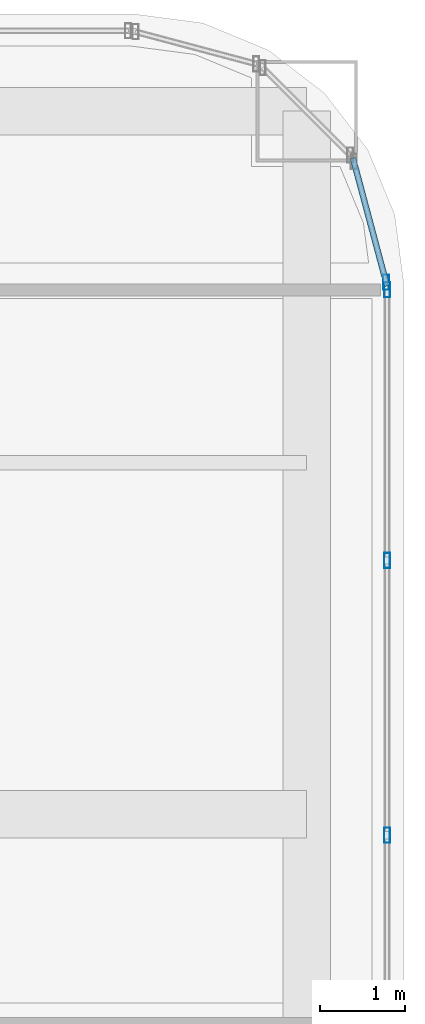
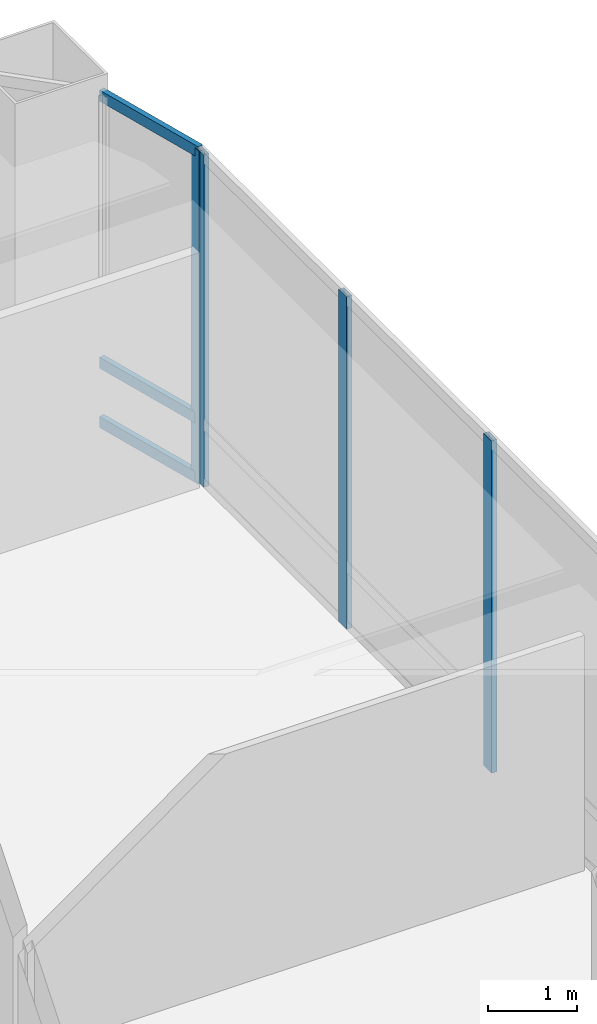
# One storey, part 31 of 44: 7 members, 2 elements without a shape of their own.
"""IFC4 building model written with IfcOpenShell, lengths in metres."""

from ifc_helpers import new_model, si_unit, direction, frame, origin, origin_2d, place, context, subcontext, project, spatial, hollow_rectangle, extrude, material, material_profile, profile_set, type_object, element, aggregate, save


model = new_model("IFC4")

# Units and contexts
model_context = context("Model", 3, precision=1e-05, world=origin(), true_north=direction((0.0, 1.0)))
body_context = subcontext(model_context, "Body", "Model", "MODEL_VIEW")
ifc_project = project(units=[si_unit("LENGTHUNIT", "METRE"), si_unit("AREAUNIT", "SQUARE_METRE"), si_unit("VOLUMEUNIT", "CUBIC_METRE"), si_unit("PLANEANGLEUNIT", "RADIAN"), si_unit("MASSUNIT", "GRAM", prefix="KILO")], contexts=[model_context])

# Site, building, storey
site_placement = place(None, origin())
site = spatial("IfcSite", under=ifc_project, at=site_placement, CompositionType="ELEMENT")
building_placement = place(site_placement, origin())
building = spatial("IfcBuilding", under=site, at=building_placement, Name="Punatoya Terracotta Tower", CompositionType="ELEMENT")
storey_placement = place(building_placement, frame((0.0, 0.0, 334.199951171875)))
storey = spatial("IfcBuildingStorey", under=building, at=storey_placement, Name="L79", CompositionType="ELEMENT", Elevation=334.199951171875)

# Curtain wall, members
ifc_material_1 = material(Name="Aluminium 6063-T6 + Double Low-E Glass", Category="aluminium")
curtain_wall_type = type_object("IfcCurtainWallType", Name="CW-OBS", PredefinedType="NOTDEFINED", material=ifc_material_1)
curtain_wall_1_placement = place(storey_placement, origin())
curtain_wall_1 = element("IfcCurtainWall", 1, at=curtain_wall_1_placement, inside=storey, type_object=curtain_wall_type, Name="L79 Curtain Wall CW-L79-E10-1", PredefinedType="NOTDEFINED")
ifc_material_2 = material(Name="Aluminium 6063-T6", Category="aluminium")
ifc_material_profile_1 = material_profile(ifc_material_2, hollow_rectangle(XDim=0.070068359375, YDim=0.179931640625, WallThickness=0.00390625, at=origin_2d()))
ifc_profile_set_1 = profile_set([ifc_material_profile_1], Name="Aluminium 6063-T6")
member_type_1 = type_object("IfcMemberType", Name="CW-MUL-M3", PredefinedType="MULLION", material=ifc_profile_set_1)
member_1_placement = place(storey_placement, frame((20.050048828125, 8.95068359375, 0.0), z_axis=(0.0, 0.0, 1.0), x_axis=(1.0, 0.0, 0.0)))
member_1 = element("IfcMember", 2, at=member_1_placement, type_object=member_type_1, Name="CW-L79-E10-1 Mullion 09", PredefinedType="MULLION", context=body_context, shape_type="SweptSolid", body=[
    extrude(hollow_rectangle(XDim=0.070068359375, YDim=0.179931640625, WallThickness=0.00390625, at=origin_2d()), origin(), (0.0, 0.0, 1.0), 4.5400390625),
])
member_2_placement = place(storey_placement, frame((20.050048828125, 12.19384765625, 0.0), z_axis=(0.0, 0.0, 1.0), x_axis=(1.0, 0.0, 0.0)))
member_2 = element("IfcMember", 3, at=member_2_placement, type_object=member_type_1, Name="CW-L79-E10-1 Mullion 10", PredefinedType="MULLION", context=body_context, shape_type="SweptSolid", body=[
    extrude(hollow_rectangle(XDim=0.070068359375, YDim=0.179931640625, WallThickness=0.00390625, at=origin_2d()), origin(), (0.0, 0.0, 1.0), 4.5400390625),
])
member_3_placement = place(storey_placement, frame((20.050048828125, 15.391845703125, 0.0), z_axis=(0.0, 0.0, 1.0), x_axis=(1.0, 0.0, 0.0)))
member_3 = element("IfcMember", 4, at=member_3_placement, type_object=member_type_1, Name="CW-L79-E10-1 Mullion 11", PredefinedType="MULLION", context=body_context, shape_type="SweptSolid", body=[
    extrude(hollow_rectangle(XDim=0.070068359375, YDim=0.179931640625, WallThickness=0.00390625, at=origin_2d()), origin(), (0.0, 0.0, 1.0), 4.5400390625),
])
aggregate(curtain_wall_1, [member_1, member_2, member_3])

curtain_wall_2_placement = place(storey_placement, origin())
curtain_wall_2 = element("IfcCurtainWall", 5, at=curtain_wall_2_placement, inside=storey, type_object=curtain_wall_type, Name="L79 Curtain Wall CW-L79-CRN11", PredefinedType="NOTDEFINED")
member_4_placement = place(storey_placement, frame((20.038330078125, 15.48046875, 0.0), z_axis=(0.0, 0.0, 1.0), x_axis=(1.0, 0.0, 0.0)))
member_4 = element("IfcMember", 6, at=member_4_placement, type_object=member_type_1, Name="CW-L79-CRN11 Mullion 00", PredefinedType="MULLION", context=body_context, shape_type="SweptSolid", body=[
    extrude(hollow_rectangle(XDim=0.070068359375, YDim=0.179931640625, WallThickness=0.00390625, at=origin_2d()), origin(), (0.0, 0.0, 1.0), 4.5400390625),
])
ifc_material_profile_2 = material_profile(ifc_material_2, hollow_rectangle(XDim=0.068115234375, YDim=0.14990234375, WallThickness=0.00390625, at=origin_2d()))
ifc_profile_set_2 = profile_set([ifc_material_profile_2], Name="Aluminium 6063-T6")
member_type_2 = type_object("IfcMemberType", Name="CW-TRN-TYP", PredefinedType="USERDEFINED", material=ifc_profile_set_2)
member_5_placement = place(storey_placement, frame((20.050048828125, 15.43701171875, 0.0400390625), z_axis=(-0.257847112249, 0.966185730957, 0.0), x_axis=(-0.966185730957, -0.257847112249, 0.0)))
member_5 = element("IfcMember", 7, at=member_5_placement, type_object=member_type_2, Name="CW-L79-CRN11 Transom 1", ObjectType="TRANSOM", PredefinedType="USERDEFINED", context=body_context, shape_type="SweptSolid", body=[
    extrude(hollow_rectangle(XDim=0.068115234375, YDim=0.14990234375, WallThickness=0.00390625, at=origin_2d()), origin(), (0.0, 0.0, 1.0), 1.565185546875),
])
member_6_placement = place(storey_placement, frame((20.050048828125, 15.43701171875, 0.85009765625), z_axis=(-0.257847112249, 0.966185730957, 0.0), x_axis=(-0.966185730957, -0.257847112249, 0.0)))
member_6 = element("IfcMember", 8, at=member_6_placement, type_object=member_type_2, Name="CW-L79-CRN11 Transom 2", ObjectType="TRANSOM", PredefinedType="USERDEFINED", context=body_context, shape_type="SweptSolid", body=[
    extrude(hollow_rectangle(XDim=0.068115234375, YDim=0.14990234375, WallThickness=0.00390625, at=origin_2d()), origin(), (0.0, 0.0, 1.0), 1.565185546875),
])
member_7_placement = place(storey_placement, frame((20.050048828125, 15.43701171875, 4.5), z_axis=(-0.257847112249, 0.966185730957, 0.0), x_axis=(-0.966185730957, -0.257847112249, 0.0)))
member_7 = element("IfcMember", 9, at=member_7_placement, type_object=member_type_2, Name="CW-L79-CRN11 Transom 3", ObjectType="TRANSOM", PredefinedType="USERDEFINED", context=body_context, shape_type="SweptSolid", body=[
    extrude(hollow_rectangle(XDim=0.068115234375, YDim=0.14990234375, WallThickness=0.00390625, at=origin_2d()), origin(), (0.0, 0.0, 1.0), 1.565185546875),
])
aggregate(curtain_wall_2, [member_4, member_5, member_6, member_7])

save(model, "model.ifc")
